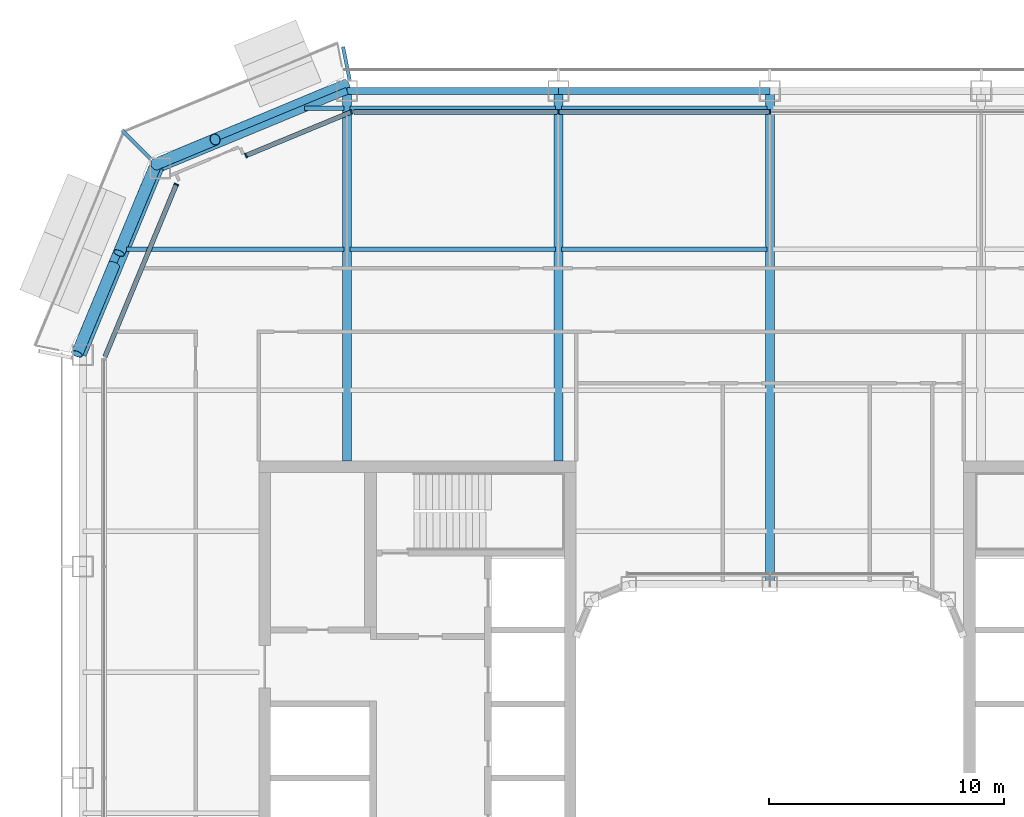
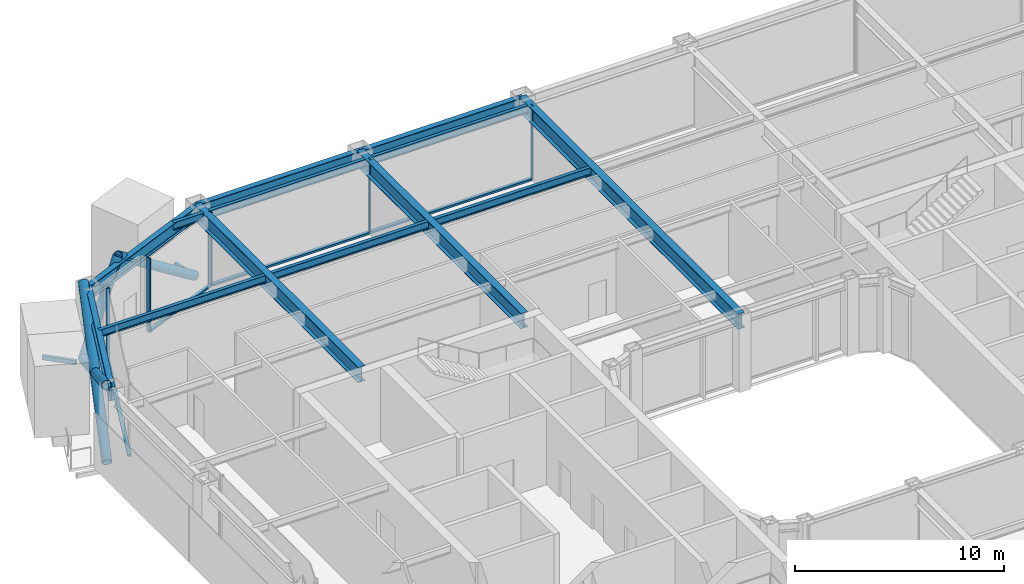
# One storey, part 7 of 23: 15 beams, 14 members, 3 elements without a shape of their own.
"""IFC4 building model written with IfcOpenShell, lengths in metres."""

from ifc_helpers import new_model, si_unit, direction, frame, origin, origin_2d, place, context, subcontext, project, spatial, rectangle, hollow_rectangle, hollow_circle, i_section, extrude, material, layer, layer_set, material_profile, profile_set, type_object, element, aggregate, save


model = new_model("IFC4")

# Units and contexts
model_context = context("Model", 3, precision=1e-05, world=origin(), true_north=direction((0.0, 1.0)))
body_context = subcontext(model_context, "Body", "Model", "MODEL_VIEW")
ifc_project = project(units=[si_unit("LENGTHUNIT", "METRE"), si_unit("AREAUNIT", "SQUARE_METRE"), si_unit("VOLUMEUNIT", "CUBIC_METRE"), si_unit("PLANEANGLEUNIT", "RADIAN"), si_unit("MASSUNIT", "GRAM", prefix="KILO")], contexts=[model_context])

# Site, building, storey
site_placement = place(None, origin())
site = spatial("IfcSite", under=ifc_project, at=site_placement, CompositionType="ELEMENT")
building_placement = place(site_placement, origin())
building = spatial("IfcBuilding", under=site, at=building_placement, Name="Siwar Civic Tower", CompositionType="ELEMENT")
storey_placement = place(building_placement, frame((0.0, 0.0, 172.199951171875)))
storey = spatial("IfcBuildingStorey", under=building, at=storey_placement, Name="L37", CompositionType="ELEMENT", Elevation=172.199951171875)

# Beams
ifc_material_1 = material(Name="Steel S355", Category="steel")
ifc_material_profile_1 = material_profile(ifc_material_1, hollow_rectangle(XDim=0.14990234375, YDim=0.25, WallThickness=0.010009765625, at=origin_2d()), Name="RHS250x150x10")
ifc_profile_set_1 = profile_set([ifc_material_profile_1], Name="Steel S355")
beam_type_1 = type_object("IfcBeamType", Name="ENV-BALCONY ARM", PredefinedType="BEAM", material=ifc_profile_set_1)
beam_1_placement = place(storey_placement, frame((-17.887451171875, 29.709716796875, -0.27490234375), z_axis=(-0.195191657493, 0.980765118081, 0.0), x_axis=(-0.980765118081, -0.195191657493, 0.0)))
element("IfcBeam", 1, at=beam_1_placement, inside=storey, type_object=beam_type_1, Name="Balcony cantilever beam NW 1", PredefinedType="BEAM", context=body_context, shape_type="SweptSolid", body=[
    extrude(hollow_rectangle(XDim=0.14990234375, YDim=0.25, WallThickness=0.010009765625, at=origin_2d()), origin(), (0.0, 0.0, 1.0), 1.422119140625),
])
beam_2_placement = place(storey_placement, frame((-26.36962890625, 26.36962890625, -0.27490234375), z_axis=(-0.707106781187, 0.707106781187, 0.0), x_axis=(-0.707106781187, -0.707106781187, 0.0)))
element("IfcBeam", 2, at=beam_2_placement, inside=storey, type_object=beam_type_1, Name="Balcony cantilever beam NW 2", PredefinedType="BEAM", context=body_context, shape_type="SweptSolid", body=[
    extrude(hollow_rectangle(XDim=0.14990234375, YDim=0.25, WallThickness=0.010009765625, at=origin_2d()), origin(), (0.0, 0.0, 1.0), 1.6865234375),
])

# Curtain wall, members
ifc_material_2 = material(Name="Aluminium and glass", Category="aluminium")
ifc_layer_1 = layer(ifc_material_2, 0.199951171875)
ifc_layer_set_1 = layer_set([ifc_layer_1], Name="Aluminium and glass")
curtain_wall_type_1 = type_object("IfcCurtainWallType", Name="ENV-CW-B", PredefinedType="NOTDEFINED", material=ifc_layer_set_1)
curtain_wall_1_placement = place(storey_placement, origin())
curtain_wall_1 = element("IfcCurtainWall", 3, at=curtain_wall_1_placement, inside=storey, type_object=curtain_wall_type_1, Name="Curtain wall B N", PredefinedType="NOTDEFINED")
ifc_material_3 = material(Name="Aluminium 6063-T6", Category="aluminium")
ifc_material_profile_2 = material_profile(ifc_material_3, rectangle(XDim=0.199951171875, YDim=0.06494140625, at=origin_2d()), Name="AL 200x65")
ifc_profile_set_2 = profile_set([ifc_material_profile_2], Name="Aluminium 6063-T6")
member_type_1 = type_object("IfcMemberType", Name="ENV-MULLION-B", PredefinedType="MULLION", material=ifc_profile_set_2)
member_1_placement = place(storey_placement, frame((0.0, 28.35009765625, 0.0), z_axis=(0.0, 0.0, 1.0), x_axis=(0.0, -1.0, 0.0)))
member_1 = element("IfcMember", 4, at=member_1_placement, type_object=member_type_1, Name="Mullion B N 3", PredefinedType="MULLION", context=body_context, shape_type="SweptSolid", body=[
    extrude(rectangle(XDim=0.199951171875, YDim=0.06494140625, at=origin_2d()), origin(), (0.0, 0.0, 1.0), 4.35009765625),
])
member_2_placement = place(storey_placement, frame((-9.0, 28.35009765625, 0.0), z_axis=(0.0, 0.0, 1.0), x_axis=(0.0, -1.0, 0.0)))
member_2 = element("IfcMember", 5, at=member_2_placement, type_object=member_type_1, Name="Mullion B N 4", PredefinedType="MULLION", context=body_context, shape_type="SweptSolid", body=[
    extrude(rectangle(XDim=0.199951171875, YDim=0.06494140625, at=origin_2d()), origin(), (0.0, 0.0, 1.0), 4.35009765625),
])

ifc_material_4 = material(Name="Aluminium clad insulated panel", Category="aluminium")
ifc_layer_2 = layer(ifc_material_4, 0.199951171875)
ifc_layer_set_2 = layer_set([ifc_layer_2], Name="Aluminium clad insulated panel")
curtain_wall_type_2 = type_object("IfcCurtainWallType", Name="ENV-CW-BX", PredefinedType="NOTDEFINED", material=ifc_layer_set_2)
curtain_wall_2_placement = place(storey_placement, origin())
curtain_wall_2 = element("IfcCurtainWall", 6, at=curtain_wall_2_placement, inside=storey, type_object=curtain_wall_type_2, Name="Curtain wall B NW1", PredefinedType="NOTDEFINED")
member_3_placement = place(storey_placement, frame((-17.821044921875, 28.35009765625, 0.0), z_axis=(0.0, 0.0, 1.0), x_axis=(0.382683432365, -0.923879532511, 0.0)))
member_3 = element("IfcMember", 7, at=member_3_placement, type_object=member_type_1, Name="Mullion B NW1 1", PredefinedType="MULLION", context=body_context, shape_type="SweptSolid", body=[
    extrude(rectangle(XDim=0.199951171875, YDim=0.06494140625, at=origin_2d()), origin(), (0.0, 0.0, 1.0), 4.35009765625),
])
member_4_placement = place(storey_placement, frame((-22.299072265625, 26.4951171875, 0.0), z_axis=(0.0, 0.0, 1.0), x_axis=(0.382683432365, -0.923879532511, 0.0)))
member_4 = element("IfcMember", 8, at=member_4_placement, type_object=member_type_1, Name="Mullion B NW1 2", PredefinedType="MULLION", context=body_context, shape_type="SweptSolid", body=[
    extrude(rectangle(XDim=0.199951171875, YDim=0.06494140625, at=origin_2d()), origin(), (0.0, 0.0, 1.0), 4.35009765625),
])

# Curtain wall, member
curtain_wall_3_placement = place(storey_placement, origin())
curtain_wall_3 = element("IfcCurtainWall", 9, at=curtain_wall_3_placement, inside=storey, type_object=curtain_wall_type_2, Name="Curtain wall B NW2", PredefinedType="NOTDEFINED")
member_5_placement = place(storey_placement, frame((-25.26611328125, 25.26611328125, 0.0), z_axis=(0.0, 0.0, 1.0), x_axis=(0.923879532511, -0.382683432365, 0.0)))
member_5 = element("IfcMember", 10, at=member_5_placement, type_object=member_type_1, Name="Mullion B NW2 1", PredefinedType="MULLION", context=body_context, shape_type="SweptSolid", body=[
    extrude(rectangle(XDim=0.199951171875, YDim=0.06494140625, at=origin_2d()), origin(), (0.0, 0.0, 1.0), 4.35009765625),
])

# Member
ifc_material_5 = material(Name="Aluminium 6063-T6", Category="aluminium")
ifc_material_profile_3 = material_profile(ifc_material_5, rectangle(XDim=0.199951171875, YDim=0.110107421875, at=origin_2d()), Name="AL 200x110")
ifc_profile_set_3 = profile_set([ifc_material_profile_3], Name="Aluminium 6063-T6")
member_type_2 = type_object("IfcMemberType", Name="ENV-TRANSOM-B", PredefinedType="USERDEFINED", material=ifc_profile_set_3)
member_6_placement = place(storey_placement, frame((-0.032470703125, 28.35009765625, 0.054931640625), z_axis=(-1.0, 0.0, 0.0), x_axis=(0.0, -1.0, 0.0)))
member_6 = element("IfcMember", 11, at=member_6_placement, type_object=member_type_2, Name="Transom B N 3", ObjectType="TRANSOM", PredefinedType="USERDEFINED", context=body_context, shape_type="SweptSolid", body=[
    extrude(rectangle(XDim=0.199951171875, YDim=0.110107421875, at=origin_2d()), origin(), (0.0, 0.0, 1.0), 8.93505859375),
])

member_7_placement = place(storey_placement, frame((-9.032470703125, 28.35009765625, 0.054931640625), z_axis=(-1.0, 0.0, 0.0), x_axis=(0.0, -1.0, 0.0)))
member_7 = element("IfcMember", 12, at=member_7_placement, type_object=member_type_2, Name="Transom B N 4", ObjectType="TRANSOM", PredefinedType="USERDEFINED", context=body_context, shape_type="SweptSolid", body=[
    extrude(rectangle(XDim=0.199951171875, YDim=0.110107421875, at=origin_2d()), origin(), (0.0, 0.0, 1.0), 8.6748046875),
])

aggregate(curtain_wall_1, [member_1, member_2, member_6, member_7])

member_8_placement = place(storey_placement, frame((-17.85107421875, 28.337646484375, 0.054931640625), z_axis=(-0.923872467912, -0.382700487371, 0.0), x_axis=(0.382700487371, -0.923872467912, 0.0)))
member_8 = element("IfcMember", 13, at=member_8_placement, type_object=member_type_2, Name="Transom B NW1 1", ObjectType="TRANSOM", PredefinedType="USERDEFINED", context=body_context, shape_type="SweptSolid", body=[
    extrude(rectangle(XDim=0.199951171875, YDim=0.110107421875, at=origin_2d()), origin(), (0.0, 0.0, 1.0), 4.781982421875),
])

aggregate(curtain_wall_2, [member_3, member_4, member_8])

member_9_placement = place(storey_placement, frame((-25.278564453125, 25.236083984375, 0.054931640625), z_axis=(-0.382673358825, -0.923883705044, 0.0), x_axis=(0.923883705044, -0.382673358825, 0.0)))
member_9 = element("IfcMember", 14, at=member_9_placement, type_object=member_type_2, Name="Transom B NW2 1", ObjectType="TRANSOM", PredefinedType="USERDEFINED", context=body_context, shape_type="SweptSolid", body=[
    extrude(rectangle(XDim=0.199951171875, YDim=0.110107421875, at=origin_2d()), origin(), (0.0, 0.0, 1.0), 7.912353515625),
])

aggregate(curtain_wall_3, [member_5, member_9])

# Members
ifc_material_6 = material(Name="Steel S355", Category="steel")
ifc_material_profile_4 = material_profile(ifc_material_6, hollow_circle(Radius=0.25390625, WallThickness=0.02490234375, at=origin_2d()), Name="CHS508x25")
ifc_profile_set_4 = profile_set([ifc_material_profile_4], Name="Steel S355")
member_type_3 = type_object("IfcMemberType", Name="STR-BR-CHS508x25", PredefinedType="BRACE", material=ifc_profile_set_4)
member_10_placement = place(storey_placement, frame((-29.4951171875, 18.048828125, 0.0), z_axis=(0.341671493852, 0.821142553604, 0.457149315816), x_axis=(-0.923264922524, 0.384163874976, 0.0)))
element("IfcMember", 15, at=member_10_placement, inside=storey, type_object=member_type_3, Name="L37/brc/BNW1-16-0-1", PredefinedType="BRACE", context=body_context, shape_type="SweptSolid", body=[
    extrude(hollow_circle(Radius=0.25390625, WallThickness=0.02490234375, at=origin_2d()), origin(), (0.0, 0.0, 1.0), 9.843505859375),
])
member_11_placement = place(storey_placement, frame((-26.1318359375, 26.1318359375, 0.0), z_axis=(-0.341662474736, -0.821143275065, 0.457154760636), x_axis=(0.923268638995, -0.384154943021, 0.0)))
element("IfcMember", 16, at=member_11_placement, inside=storey, type_object=member_type_3, Name="L37/brc/BNW1-16-0-2", PredefinedType="BRACE", context=body_context, shape_type="SweptSolid", body=[
    extrude(hollow_circle(Radius=0.25390625, WallThickness=0.02490234375, at=origin_2d()), origin(), (0.0, 0.0, 1.0), 4.61474609375),
])
member_12_placement = place(storey_placement, frame((-27.91845703125, 21.837890625, 2.390625), z_axis=(-0.34168558233, -0.821145902409, 0.457132770413), x_axis=(0.923259859753, -0.384176042158, 0.0)))
element("IfcMember", 17, at=member_12_placement, inside=storey, type_object=member_type_3, Name="L37/brc/BNW1-16-0-3", PredefinedType="BRACE", context=body_context, shape_type="SweptSolid", body=[
    extrude(hollow_circle(Radius=0.25390625, WallThickness=0.02490234375, at=origin_2d()), origin(), (0.0, 0.0, 1.0), 4.6142578125),
])
member_13_placement = place(storey_placement, frame((-18.048828125, 29.4951171875, 0.0), z_axis=(-0.739973158344, -0.307903068035, 0.598026275029), x_axis=(0.384169803352, -0.923262455747, 0.0)))
element("IfcMember", 18, at=member_13_placement, inside=storey, type_object=member_type_3, Name="L37/brc/BNW1-16-0-0", PredefinedType="BRACE", context=body_context, shape_type="SweptSolid", body=[
    extrude(hollow_circle(Radius=0.25390625, WallThickness=0.02490234375, at=origin_2d()), origin(), (0.0, 0.0, 1.0), 7.524658203125),
])
member_14_placement = place(storey_placement, frame((-26.1318359375, 26.1318359375, 0.0), z_axis=(0.478099094869, 0.198925611165, 0.855482236349), x_axis=(-0.384150749045, 0.92327038402, 0.0)))
element("IfcMember", 19, at=member_14_placement, inside=storey, type_object=member_type_3, Name="L37/brc/BNW1-16-0-6", PredefinedType="BRACE", context=body_context, shape_type="SweptSolid", body=[
    extrude(hollow_circle(Radius=0.25390625, WallThickness=0.02490234375, at=origin_2d()), origin(), (0.0, 0.0, 1.0), 5.26025390625),
])

# Beams
ifc_material_7 = material(Name="Steel S355", Category="steel")
ifc_material_profile_5 = material_profile(ifc_material_7, i_section(OverallWidth=0.18994140625, OverallDepth=0.449951171875, WebThickness=0.009521484375, FlangeThickness=0.0146484375, FilletRadius=0.02099609375, at=origin_2d()), Name="IPE450")
ifc_profile_set_5 = profile_set([ifc_material_profile_5], Name="Steel S355")
beam_type_2 = type_object("IfcBeamType", Name="STR-FB-IPE450", PredefinedType="JOIST", material=ifc_profile_set_5)
beam_3_placement = place(storey_placement, frame((-27.385986328125, 22.5, 4.125), z_axis=(1.0, 0.0, 0.0), x_axis=(0.0, 1.0, 0.0)))
element("IfcBeam", 20, at=beam_3_placement, inside=storey, type_object=beam_type_2, Name="L37/bm/F037", PredefinedType="JOIST", context=body_context, shape_type="SweptSolid", body=[
    extrude(i_section(OverallWidth=0.18994140625, OverallDepth=0.449951171875, WebThickness=0.009521484375, FlangeThickness=0.0146484375, FilletRadius=0.02099609375, at=origin_2d()), origin(), (0.0, 0.0, 1.0), 9.256103515625),
])
for number, where, z_axis, x_axis, name in (
    (21, (-17.8701171875, 22.5, 4.125), (1.0, 0.0, 0.0), (0.0, 1.0, 0.0), "L37/bm/F038"),
    (22, (-8.8701171875, 22.5, 4.125), (1.0, 0.0, 0.0), (0.0, 1.0, 0.0), "L37/bm/F039"),
):
    element("IfcBeam", number, at=place(storey_placement, frame(where, z_axis=z_axis, x_axis=x_axis)), inside=storey, type_object=beam_type_2, Name=name, PredefinedType="JOIST", context=body_context, shape_type="SweptSolid", body=[
        extrude(i_section(OverallWidth=0.18994140625, OverallDepth=0.449951171875, WebThickness=0.009521484375, FlangeThickness=0.0146484375, FilletRadius=0.02099609375, at=origin_2d()), origin(), (0.0, 0.0, 1.0), 8.740234375),
    ])
beam_4_placement = place(storey_placement, frame((-19.810546875, 28.5, 4.125), z_axis=(1.0, 0.0, 0.0), x_axis=(0.0, 1.0, 0.0)))
element("IfcBeam", 23, at=beam_4_placement, inside=storey, type_object=beam_type_2, Name="L37/bm/F043", PredefinedType="JOIST", context=body_context, shape_type="SweptSolid", body=[
    extrude(i_section(OverallWidth=0.18994140625, OverallDepth=0.449951171875, WebThickness=0.009521484375, FlangeThickness=0.0146484375, FilletRadius=0.02099609375, at=origin_2d()), origin(), (0.0, 0.0, 1.0), 1.6806640625),
])
for number, where, z_axis, x_axis, name in (
    (24, (-17.8701171875, 28.5, 4.125), (1.0, 0.0, 0.0), (0.0, 1.0, 0.0), "L37/bm/F044"),
    (25, (-8.8701171875, 28.5, 4.125), (1.0, 0.0, 0.0), (0.0, 1.0, 0.0), "L37/bm/F045"),
):
    element("IfcBeam", number, at=place(storey_placement, frame(where, z_axis=z_axis, x_axis=x_axis)), inside=storey, type_object=beam_type_2, Name=name, PredefinedType="JOIST", context=body_context, shape_type="SweptSolid", body=[
        extrude(i_section(OverallWidth=0.18994140625, OverallDepth=0.449951171875, WebThickness=0.009521484375, FlangeThickness=0.0146484375, FilletRadius=0.02099609375, at=origin_2d()), origin(), (0.0, 0.0, 1.0), 8.740234375),
    ])
ifc_material_8 = material(Name="Steel S355", Category="steel")
ifc_material_profile_6 = material_profile(ifc_material_8, i_section(OverallWidth=0.3798828125, OverallDepth=0.89990234375, WebThickness=0.01611328125, FlangeThickness=0.035888671875, at=origin_2d()), Name="PG900x380x16x36")
ifc_profile_set_6 = profile_set([ifc_material_profile_6], Name="Steel S355")
beam_type_3 = type_object("IfcBeamType", Name="STR-PG-PG900x380x16x36", PredefinedType="BEAM", material=ifc_profile_set_6)
for number, where, z_axis, x_axis, name in (
    (26, (-18.0, 13.5, 3.900146484375), (0.0, 1.0, 0.0), (-1.0, 0.0, 0.0), "L37/bm/G02"),
    (27, (-9.0, 13.5, 3.900146484375), (0.0, 1.0, 0.0), (-1.0, 0.0, 0.0), "L37/bm/G04"),
):
    element("IfcBeam", number, at=place(storey_placement, frame(where, z_axis=z_axis, x_axis=x_axis)), inside=storey, type_object=beam_type_3, Name=name, PredefinedType="BEAM", context=body_context, shape_type="SweptSolid", body=[
        extrude(i_section(OverallWidth=0.3798828125, OverallDepth=0.89990234375, WebThickness=0.01611328125, FlangeThickness=0.035888671875, at=origin_2d()), origin(), (0.0, 0.0, 1.0), 15.75),
    ])
beam_5_placement = place(storey_placement, frame((0.0, 8.25, 3.900146484375), z_axis=(0.0, 1.0, 0.0), x_axis=(-1.0, 0.0, 0.0)))
element("IfcBeam", 28, at=beam_5_placement, inside=storey, type_object=beam_type_3, Name="L37/bm/G06", PredefinedType="BEAM", context=body_context, shape_type="SweptSolid", body=[
    extrude(i_section(OverallWidth=0.3798828125, OverallDepth=0.89990234375, WebThickness=0.01611328125, FlangeThickness=0.035888671875, at=origin_2d()), origin(), (0.0, 0.0, 1.0), 21.0),
])
ifc_material_9 = material(Name="Steel S355", Category="steel")
ifc_material_profile_7 = material_profile(ifc_material_9, i_section(OverallWidth=0.300048828125, OverallDepth=0.800048828125, WebThickness=0.017578125, FlangeThickness=0.032958984375, FilletRadius=0.030029296875, at=origin_2d()), Name="HEB800")
ifc_profile_set_7 = profile_set([ifc_material_profile_7], Name="Steel S355")
beam_type_4 = type_object("IfcBeamType", Name="STR-SB-HEB800", PredefinedType="BEAM", material=ifc_profile_set_7)
for number, where, z_axis, x_axis, name in (
    (29, (0.0, 29.25, 3.949951171875), (-1.0, 0.0, 0.0), (0.0, -1.0, 0.0), "L37/bm/SN-2"),
    (30, (-9.0, 29.25, 3.949951171875), (-1.0, 0.0, 0.0), (0.0, -1.0, 0.0), "L37/bm/SN-3"),
):
    element("IfcBeam", number, at=place(storey_placement, frame(where, z_axis=z_axis, x_axis=x_axis)), inside=storey, type_object=beam_type_4, Name=name, PredefinedType="BEAM", context=body_context, shape_type="SweptSolid", body=[
        extrude(i_section(OverallWidth=0.300048828125, OverallDepth=0.800048828125, WebThickness=0.017578125, FlangeThickness=0.032958984375, FilletRadius=0.030029296875, at=origin_2d()), origin(), (0.0, 0.0, 1.0), 9.0),
    ])
for number, where, z_axis, x_axis, name in (
    (31, (-18.0, 29.25, 3.949951171875), (-0.923872720536, -0.382699877515, 0.0), (0.382699877515, -0.923872720536, 0.0), "L37/bm/SNW1-0"),
    (32, (-25.954833984375, 25.954833984375, 3.949951171875), (-0.382699877515, -0.923872720536, 0.0), (0.923872720536, -0.382699877515, 0.0), "L37/bm/SNW2-0"),
):
    element("IfcBeam", number, at=place(storey_placement, frame(where, z_axis=z_axis, x_axis=x_axis)), inside=storey, type_object=beam_type_4, Name=name, PredefinedType="BEAM", context=body_context, shape_type="SweptSolid", body=[
        extrude(i_section(OverallWidth=0.300048828125, OverallDepth=0.800048828125, WebThickness=0.017578125, FlangeThickness=0.032958984375, FilletRadius=0.030029296875, at=origin_2d()), origin(), (0.0, 0.0, 1.0), 8.6103515625),
    ])

save(model, "model.ifc")
